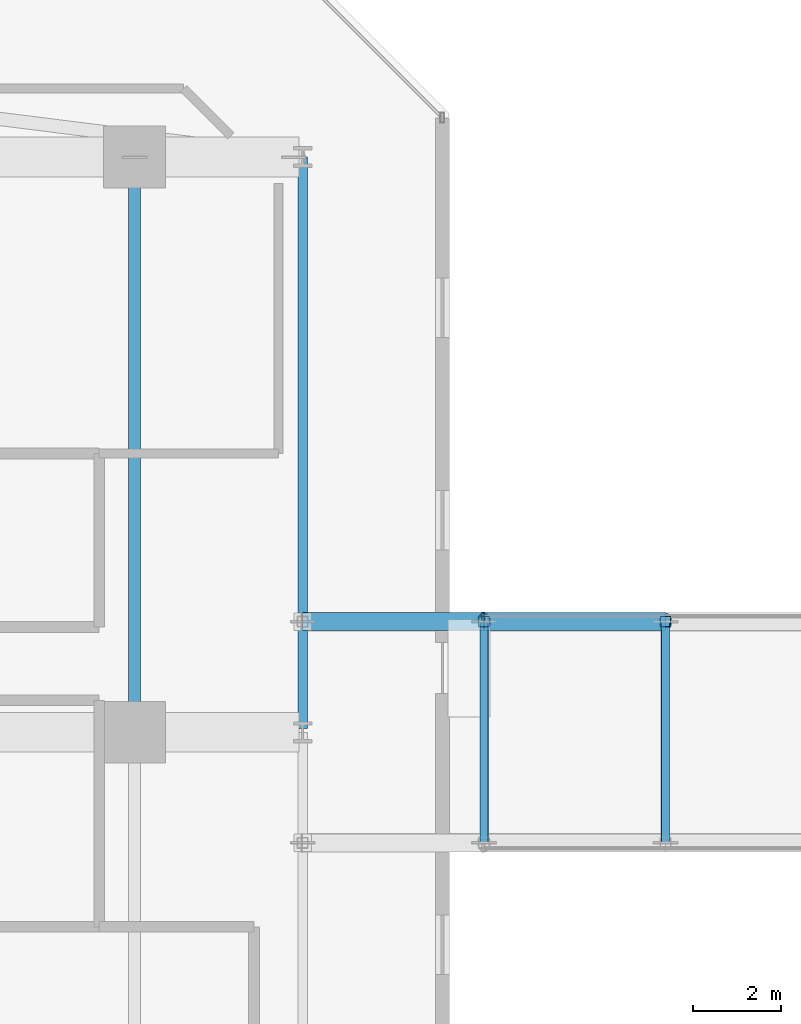
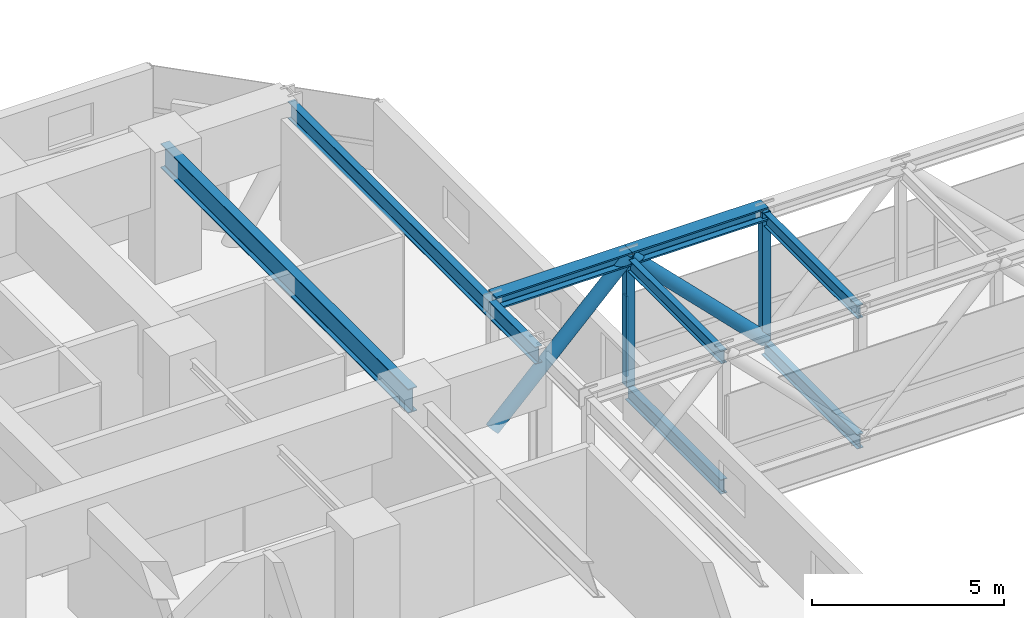
# One storey, part 8 of 38: 7 members, 6 beams, 1 element without a shape of its own.
"""IFC4 building model written with IfcOpenShell, lengths in metres."""

import ifcopenshell
import ifcopenshell.guid

model = None  # the IFC model being written
_history = None  # IfcOwnerHistory: only IFC2X3 demands one
_inside = {}  # id of a spatial element -> (the spatial element, [elements in it])
_under = {}  # id of a project, library or spatial element -> (it, [spatial elements below it])
_declared = {}  # id of a project -> (the project, [libraries it declares])
_typed = {}  # id of a type object -> (the type object, [elements of that type])
_made_of = {}  # id of a material, layer set ... -> (it, [elements and type objects made of it])


def new_model(schema):
    """Start an empty IFC model of exactly this schema.

    Asked for "IFC4X3", IfcOpenShell would pick the latest addendum, in which some entities
    have other attributes; the version numbers below select the first issue.
    IFC2X3 requires an IfcOwnerHistory on every rooted entity: one is made here for all.
    """
    global model, _history
    if schema == "IFC4X3":
        model = ifcopenshell.file(schema_version=(4, 3, 0, 0))
    else:
        model = ifcopenshell.file(schema=schema)
    _inside.clear()
    _under.clear()
    _declared.clear()
    _typed.clear()
    _made_of.clear()
    _history = None
    if model.schema == "IFC2X3":
        org = make("IfcOrganization", Name="unknown")
        user = make(
            "IfcPersonAndOrganization",
            ThePerson=make("IfcPerson", FamilyName="unknown"),
            TheOrganization=org,
        )
        app = make(
            "IfcApplication",
            ApplicationDeveloper=org,
            Version="unknown",
            ApplicationFullName="unknown",
            ApplicationIdentifier="unknown",
        )
        _history = make(
            "IfcOwnerHistory",
            OwningUser=user,
            OwningApplication=app,
            ChangeAction="ADDED",
            CreationDate=0,
        )
    return model


def make(cls, **values):
    """One entity of the class cls with the attributes given. An attribute that is None is left unset."""
    return model.create_entity(
        cls, **{name: value for name, value in values.items() if value is not None}
    )


def rooted(cls, **values):
    """An entity with a GlobalId (a new one), such as an element, a storey or a relation."""
    return make(cls, GlobalId=ifcopenshell.guid.new(), OwnerHistory=_history, **values)


def si_unit(unit_type, name, prefix=None):
    """IfcSIUnit, for example si_unit("LENGTHUNIT", "METRE", prefix="MILLI")."""
    return make("IfcSIUnit", UnitType=unit_type, Prefix=prefix, Name=name)


def assignment(units):
    """IfcUnitAssignment: the units of a project."""
    return None if units is None else make("IfcUnitAssignment", Units=units)


def point(xyz):
    """IfcCartesianPoint."""
    return None if xyz is None else make("IfcCartesianPoint", Coordinates=xyz)


def direction(xyz):
    """IfcDirection."""
    return None if xyz is None else make("IfcDirection", DirectionRatios=xyz)


def frame(location, z_axis=None, x_axis=None):
    """IfcAxis2Placement3D, a coordinate frame: its origin and axes. An axis left out is left unset."""
    return make(
        "IfcAxis2Placement3D",
        Location=point(location),
        Axis=direction(z_axis),
        RefDirection=direction(x_axis),
    )


def frame_2d(location, x_axis=None):
    """IfcAxis2Placement2D, a coordinate frame in the plane: its origin and x axis."""
    return make(
        "IfcAxis2Placement2D", Location=point(location), RefDirection=direction(x_axis)
    )


def origin():
    """The frame at (0, 0, 0) with its axes left unset."""
    return frame((0.0, 0.0, 0.0))


def origin_2d():
    """The frame at (0, 0) in the plane with its x axis left unset."""
    return frame_2d((0.0, 0.0))


def place(relative_to, where):
    """IfcLocalPlacement: puts the frame where relative to a parent placement (None: the world)."""
    return make(
        "IfcLocalPlacement", PlacementRelTo=relative_to, RelativePlacement=where
    )


def context(
    kind, dimensions, precision=None, world=None, true_north=None, identifier=None
):
    """IfcGeometricRepresentationContext, for example the 3D "Model" context."""
    return make(
        "IfcGeometricRepresentationContext",
        ContextIdentifier=identifier,
        ContextType=kind,
        CoordinateSpaceDimension=dimensions,
        Precision=precision,
        WorldCoordinateSystem=world,
        TrueNorth=true_north,
    )


def subcontext(parent, identifier, kind, view, scale=None):
    """IfcGeometricRepresentationSubContext, for example "Body" below "Model"."""
    return make(
        "IfcGeometricRepresentationSubContext",
        ContextIdentifier=identifier,
        ContextType=kind,
        ParentContext=parent,
        TargetScale=scale,
        TargetView=view,
    )


def project(units=None, contexts=None):
    """IfcProject with its units and contexts."""
    return rooted(
        "IfcProject",
        Name="project",
        RepresentationContexts=contexts,
        UnitsInContext=assignment(units),
    )


def spatial(cls, under=None, at=None, **own):
    """A site, building, storey or space (cls), placed at a placement, below another one or the project."""
    s = rooted(cls, ObjectPlacement=at, **own)
    if under is not None:
        _under.setdefault(under.id(), (under, []))[1].append(s)
    return s


def profile(cls, at=None, kind="AREA", **sizes):
    """A parametric profile (cls). Its sizes go by their IFC names, for example OverallWidth=200.0."""
    return make(cls, ProfileType=kind, Position=at, **sizes)


def hollow_rectangle(**sizes):
    """IfcRectangleHollowProfileDef."""
    return profile("IfcRectangleHollowProfileDef", **sizes)


def hollow_circle(**sizes):
    """IfcCircleHollowProfileDef."""
    return profile("IfcCircleHollowProfileDef", **sizes)


def i_section(**sizes):
    """IfcIShapeProfileDef."""
    return profile("IfcIShapeProfileDef", **sizes)


def extrude(swept, where, along, depth):
    """IfcExtrudedAreaSolid: the profile swept, set in the frame where, extruded along a direction by depth."""
    return make(
        "IfcExtrudedAreaSolid",
        SweptArea=swept,
        Position=where,
        ExtrudedDirection=direction(along),
        Depth=depth,
    )


def shape(context_of_items, identifier, shape_type, items):
    """IfcShapeRepresentation: the items that make up one representation, for example the "Body"."""
    return make(
        "IfcShapeRepresentation",
        ContextOfItems=context_of_items,
        RepresentationIdentifier=identifier,
        RepresentationType=shape_type,
        Items=items,
    )


def material(Name=None, Category=None):
    """IfcMaterial."""
    return make("IfcMaterial", Name=Name, Category=Category)


def material_profile(
    of_material, cross_section, Name=None, Category=None, Priority=None
):
    """IfcMaterialProfile: a cross section and its material."""
    return make(
        "IfcMaterialProfile",
        Name=Name,
        Material=of_material,
        Profile=cross_section,
        Priority=Priority,
        Category=Category,
    )


def profile_set(profiles, Name=None, composite=None):
    """IfcMaterialProfileSet."""
    return make(
        "IfcMaterialProfileSet",
        Name=Name,
        MaterialProfiles=profiles,
        CompositeProfile=composite,
    )


def made_of(thing, what):
    """Note that an element or type object is made of a material, layer set ...; save() writes the relation."""
    if what is not None:
        _made_of.setdefault(what.id(), (what, []))[1].append(thing)
    return thing


def type_object(cls, material=None, **own):
    """A type object (cls), such as IfcWallType, which elements share."""
    return made_of(rooted(cls, **own), material)


def element(
    cls,
    number,
    at=None,
    inside=None,
    cuts=None,
    type_object=None,
    material=None,
    context=None,
    identifier="Body",
    shape_type=None,
    held_by="IfcProductDefinitionShape",
    body=None,
    shapes=None,
    **own,
):
    """One element of the class cls, such as IfcWall. Its Tag is "e" and its number.

    at: its placement. inside: the storey or other place that contains it. cuts: it is an
    opening in that element (IfcRelVoidsElement). A single representation is given by context,
    identifier, shape_type and body (its items); several are given by shapes. held_by: the class
    of the entity that holds the representations. save() writes the other relations.
    """
    e = rooted(cls, Tag="e%d" % number, ObjectPlacement=at, **own)
    if body is not None:
        shapes = [shape(context, identifier, shape_type, body)]
    if shapes is not None:
        e.Representation = make(held_by, Representations=shapes)
    if inside is not None:
        _inside.setdefault(inside.id(), (inside, []))[1].append(e)
    if cuts is not None:
        rooted(
            "IfcRelVoidsElement", RelatingBuildingElement=cuts, RelatedOpeningElement=e
        )
    if type_object is not None:
        _typed.setdefault(type_object.id(), (type_object, []))[1].append(e)
    return made_of(e, material)


def aggregate(whole, parts):
    """IfcRelAggregates: a whole, such as a stair, and the parts it consists of."""
    return rooted("IfcRelAggregates", RelatingObject=whole, RelatedObjects=parts)


def save(model, path):
    """Write the relations noted so far, then the file.

    IfcRelAggregates (storeys below a building ...), IfcRelContainedInSpatialStructure (elements
    in a storey), IfcRelDefinesByType, IfcRelAssociatesMaterial and IfcRelDeclares: one each for
    every whole, place, type object, material and project.
    """
    for whole, parts in _under.values():
        aggregate(whole, parts)
    for where, things in _inside.values():
        rooted(
            "IfcRelContainedInSpatialStructure",
            RelatedElements=things,
            RelatingStructure=where,
        )
    for kind, things in _typed.values():
        rooted("IfcRelDefinesByType", RelatedObjects=things, RelatingType=kind)
    for what, things in _made_of.values():
        rooted("IfcRelAssociatesMaterial", RelatedObjects=things, RelatingMaterial=what)
    for by, libraries in _declared.values():
        rooted("IfcRelDeclares", RelatingContext=by, RelatedDefinitions=libraries)
    model.write(path)


model = new_model("IFC4")

# Units and contexts
model_context = context("Model", 3, precision=1e-05, world=origin(), true_north=direction((0.0, 1.0)))
body_context = subcontext(model_context, "Body", "Model", "MODEL_VIEW")
ifc_project = project(units=[si_unit("LENGTHUNIT", "METRE"), si_unit("AREAUNIT", "SQUARE_METRE"), si_unit("VOLUMEUNIT", "CUBIC_METRE"), si_unit("PLANEANGLEUNIT", "RADIAN"), si_unit("MASSUNIT", "GRAM", prefix="KILO")], contexts=[model_context])

# Site, building, storey
site_placement = place(None, origin())
site = spatial("IfcSite", under=ifc_project, at=site_placement, CompositionType="ELEMENT")
building_placement = place(site_placement, origin())
building = spatial("IfcBuilding", under=site, at=building_placement, Name="Thornwick Lancets Civic Towers", CompositionType="ELEMENT")
storey_placement = place(building_placement, frame((0.0, 0.0, 71.699951171875)))
storey = spatial("IfcBuildingStorey", under=building, at=storey_placement, Name="L18", CompositionType="ELEMENT", Elevation=71.699951171875)

# Beams
ifc_material_1 = material(Name="Steel S355JR", Category="steel")
ifc_material_profile_1 = material_profile(ifc_material_1, i_section(OverallWidth=0.2119140625, OverallDepth=0.54443359375, WebThickness=0.0126953125, FlangeThickness=0.021240234375, FilletRadius=0.0126953125, at=origin_2d()), Name="UKB 533x210x122")
ifc_profile_set_1 = profile_set([ifc_material_profile_1], Name="Steel S355JR")
beam_type_1 = type_object("IfcBeamType", Name="BM_EDGE_533_122", PredefinedType="SPANDREL", material=ifc_profile_set_1)
beam_1_placement = place(storey_placement, frame((46.60009765625, 27.080078125, 3.607666015625), z_axis=(0.0, 1.0, 0.0), x_axis=(-1.0, 0.0, 0.0)))
element("IfcBeam", 1, at=beam_1_placement, inside=storey, type_object=beam_type_1, Name="BM-EDGE-L18-A-S1-2", PredefinedType="SPANDREL", context=body_context, shape_type="SweptSolid", body=[
    extrude(i_section(OverallWidth=0.2119140625, OverallDepth=0.54443359375, WebThickness=0.0126953125, FlangeThickness=0.021240234375, FilletRadius=0.0126953125, at=origin_2d()), origin(), (0.0, 0.0, 1.0), 12.919921875),
])
ifc_material_profile_2 = material_profile(ifc_material_1, i_section(OverallWidth=0.26806640625, OverallDepth=0.769775390625, WebThickness=0.015625, FlangeThickness=0.025390625, FilletRadius=0.0166015625, at=origin_2d()), Name="UKB 762x267x197")
ifc_profile_set_2 = profile_set([ifc_material_profile_2], Name="Steel S355JR")
beam_type_2 = type_object("IfcBeamType", Name="BM_GIRD_762_197", PredefinedType="BEAM", material=ifc_profile_set_2)
beam_2_placement = place(storey_placement, frame((42.800048828125, 27.080078125, 3.4951171875), z_axis=(0.0, 1.0, 0.0), x_axis=(-1.0, 0.0, 0.0)))
element("IfcBeam", 2, at=beam_2_placement, inside=storey, type_object=beam_type_2, Name="BM-SPINE-L18-A-4-5", PredefinedType="BEAM", context=body_context, shape_type="SweptSolid", body=[
    extrude(i_section(OverallWidth=0.26806640625, OverallDepth=0.769775390625, WebThickness=0.015625, FlangeThickness=0.025390625, FilletRadius=0.0166015625, at=origin_2d()), origin(), (0.0, 0.0, 1.0), 12.919921875),
])
ifc_material_profile_3 = material_profile(ifc_material_1, i_section(OverallWidth=0.179443359375, OverallDepth=0.412841796875, WebThickness=0.009521484375, FlangeThickness=0.01611328125, FilletRadius=0.01025390625, at=origin_2d()), Name="UKB 406x178x74")
ifc_profile_set_3 = profile_set([ifc_material_profile_3], Name="Steel S355JR")
beam_type_3 = type_object("IfcBeamType", Name="BM_JOIST_406_74", PredefinedType="JOIST", material=ifc_profile_set_3)
for number, where, z_axis, x_axis, name in (
    (3, (50.699951171875, 24.5, 3.673583984375), (0.0, 1.0, 0.0), (-1.0, 0.0, 0.0), "BM-L18-SB-RBM-1"),
    (4, (54.800048828125, 24.5, 3.673583984375), (0.0, 1.0, 0.0), (-1.0, 0.0, 0.0), "BM-L18-SB-RBM-2"),
):
    element("IfcBeam", number, at=place(storey_placement, frame(where, z_axis=z_axis, x_axis=x_axis)), inside=storey, type_object=beam_type_3, Name=name, PredefinedType="JOIST", context=body_context, shape_type="SweptSolid", body=[
        extrude(i_section(OverallWidth=0.179443359375, OverallDepth=0.412841796875, WebThickness=0.009521484375, FlangeThickness=0.01611328125, FilletRadius=0.01025390625, at=origin_2d()), origin(), (0.0, 0.0, 1.0), 5.0),
    ])
ifc_material_profile_4 = material_profile(ifc_material_1, i_section(OverallWidth=0.19189453125, OverallDepth=0.46337890625, WebThickness=0.010498046875, FlangeThickness=0.017578125, FilletRadius=0.01025390625, at=origin_2d()), Name="UKB 457x191x89")
ifc_profile_set_4 = profile_set([ifc_material_profile_4], Name="Steel S355JR")
beam_type_4 = type_object("IfcBeamType", Name="BM_JOIST_457_89", PredefinedType="JOIST", material=ifc_profile_set_4)
for number, where, z_axis, x_axis, name in (
    (5, (50.699951171875, 24.5, -0.45166015625), (0.0, 1.0, 0.0), (-1.0, 0.0, 0.0), "BM-L18-SB-XBM-1"),
    (6, (54.800048828125, 24.5, -0.45166015625), (0.0, 1.0, 0.0), (-1.0, 0.0, 0.0), "BM-L18-SB-XBM-2"),
):
    element("IfcBeam", number, at=place(storey_placement, frame(where, z_axis=z_axis, x_axis=x_axis)), inside=storey, type_object=beam_type_4, Name=name, PredefinedType="JOIST", context=body_context, shape_type="SweptSolid", body=[
        extrude(i_section(OverallWidth=0.19189453125, OverallDepth=0.46337890625, WebThickness=0.010498046875, FlangeThickness=0.017578125, FilletRadius=0.01025390625, at=origin_2d()), origin(), (0.0, 0.0, 1.0), 5.0),
    ])

# Curtain wall, member
ifc_material_2 = material(Name="Skybridge acoustic laminated-glass curtain wall", Category="glass")
curtain_wall_type = type_object("IfcCurtainWallType", Name="CW_SYS_06", PredefinedType="NOTDEFINED", material=ifc_material_2)
curtain_wall_placement = place(storey_placement, origin())
curtain_wall = element("IfcCurtainWall", 7, at=curtain_wall_placement, inside=storey, type_object=curtain_wall_type, Name="L18 Curtain Wall CW-L18-SKYBRIDGE-N", PredefinedType="NOTDEFINED")
ifc_material_3 = material(Name="Thermally broken bronze aluminium S355", Category="steel")
ifc_material_profile_5 = material_profile(ifc_material_3, hollow_rectangle(XDim=0.074951171875, YDim=0.179931640625, WallThickness=0.006103515625, at=origin_2d()), Name="RHS 180x75x6")
ifc_profile_set_5 = profile_set([ifc_material_profile_5], Name="Thermally broken bronze aluminium S355")
member_type_1 = type_object("IfcMemberType", Name="CW_MUL_180", PredefinedType="MULLION", material=ifc_profile_set_5)
member_1_placement = place(storey_placement, frame((50.679931640625, 29.6201171875, 0.0), z_axis=(0.0, 0.0, 1.0), x_axis=(1.0, 0.0, 0.0)))
member_1 = element("IfcMember", 8, at=member_1_placement, type_object=member_type_1, Name="CW-L18-SKYBRIDGE-N Mullion 2", PredefinedType="MULLION", context=body_context, shape_type="SweptSolid", body=[
    extrude(hollow_rectangle(XDim=0.074951171875, YDim=0.179931640625, WallThickness=0.006103515625, at=origin_2d()), origin(), (0.0, 0.0, 1.0), 2.550048828125),
])
aggregate(curtain_wall, [member_1])

# Members
ifc_material_4 = material(Name="Steel S460M", Category="steel")
ifc_material_profile_6 = material_profile(ifc_material_4, i_section(OverallWidth=0.406982421875, OverallDepth=0.4189453125, WebThickness=0.030517578125, FlangeThickness=0.04931640625, FilletRadius=0.01513671875, at=origin_2d()), Name="UKC 356x406x393")
ifc_profile_set_6 = profile_set([ifc_material_profile_6], Name="Steel S460M")
member_type_2 = type_object("IfcMemberType", Name="MEM_BRG_CHORD_393", PredefinedType="CHORD", material=ifc_profile_set_6)
member_2_placement = place(storey_placement, frame((46.60009765625, 29.5, 3.880126953125), z_axis=(1.0, 0.0, 0.0), x_axis=(0.0, 1.0, 0.0)))
element("IfcMember", 9, at=member_2_placement, inside=storey, type_object=member_type_2, Name="L18 Skybridge Top Chord 2-0", PredefinedType="CHORD", context=body_context, shape_type="SweptSolid", body=[
    extrude(i_section(OverallWidth=0.406982421875, OverallDepth=0.4189453125, WebThickness=0.030517578125, FlangeThickness=0.04931640625, FilletRadius=0.01513671875, at=origin_2d()), origin(), (0.0, 0.0, 1.0), 4.099853515625),
])
member_3_placement = place(storey_placement, frame((50.699951171875, 29.5, 3.880126953125), z_axis=(1.0, 0.0, 0.0), x_axis=(0.0, 1.0, 0.0)))
element("IfcMember", 10, at=member_3_placement, inside=storey, type_object=member_type_2, Name="L18 Skybridge Top Chord 2-1", PredefinedType="CHORD", context=body_context, shape_type="SweptSolid", body=[
    extrude(i_section(OverallWidth=0.406982421875, OverallDepth=0.4189453125, WebThickness=0.030517578125, FlangeThickness=0.04931640625, FilletRadius=0.01513671875, at=origin_2d()), origin(), (0.0, 0.0, 1.0), 4.10009765625),
])
ifc_material_profile_7 = material_profile(ifc_material_4, hollow_circle(Radius=0.203125, WallThickness=0.02001953125, at=origin_2d()), Name="CHS 406.4x20")
ifc_profile_set_7 = profile_set([ifc_material_profile_7], Name="Steel S460M")
member_type_3 = type_object("IfcMemberType", Name="MEM_BRG_WEB_CHS406", PredefinedType="BRACE", material=ifc_profile_set_7)
for number, where, z_axis, x_axis, name in (
    (11, (46.60009765625, 29.5, -0.219970703125), (0.707085727883, 0.0, 0.707127833863), (0.0, 1.0, 0.0), "L18 Skybridge Truss Diagonal 2-0"),
    (12, (50.699951171875, 29.5, 3.880126953125), (0.707106781187, 0.0, -0.707106781187), (0.0, 1.0, 0.0), "L18 Skybridge Truss Diagonal 2-1"),
):
    element("IfcMember", number, at=place(storey_placement, frame(where, z_axis=z_axis, x_axis=x_axis)), inside=storey, type_object=member_type_3, Name=name, PredefinedType="BRACE", context=body_context, shape_type="SweptSolid", body=[
        extrude(hollow_circle(Radius=0.203125, WallThickness=0.02001953125, at=origin_2d()), origin(), (0.0, 0.0, 1.0), 5.79833984375),
    ])
ifc_material_profile_8 = material_profile(ifc_material_4, hollow_rectangle(XDim=0.25, YDim=0.25, WallThickness=0.01611328125, at=origin_2d()), Name="SHS 250x250x16")
ifc_profile_set_8 = profile_set([ifc_material_profile_8], Name="Steel S460M")
member_type_4 = type_object("IfcMemberType", Name="MEM_BRG_WEB_SHS250", PredefinedType="BRACE", material=ifc_profile_set_8)
for number, where, z_axis, x_axis, name in (
    (13, (50.699951171875, 29.5, -0.219970703125), (0.0, 0.0, 1.0), (1.0, 0.0, 0.0), "L18 Skybridge Truss Post 2-1"),
    (14, (54.800048828125, 29.5, -0.219970703125), (0.0, 0.0, 1.0), (1.0, 0.0, 0.0), "L18 Skybridge Truss Post 2-2"),
):
    element("IfcMember", number, at=place(storey_placement, frame(where, z_axis=z_axis, x_axis=x_axis)), inside=storey, type_object=member_type_4, Name=name, PredefinedType="BRACE", context=body_context, shape_type="SweptSolid", body=[
        extrude(hollow_rectangle(XDim=0.25, YDim=0.25, WallThickness=0.01611328125, at=origin_2d()), origin(), (0.0, 0.0, 1.0), 4.10009765625),
    ])

save(model, "model.ifc")
